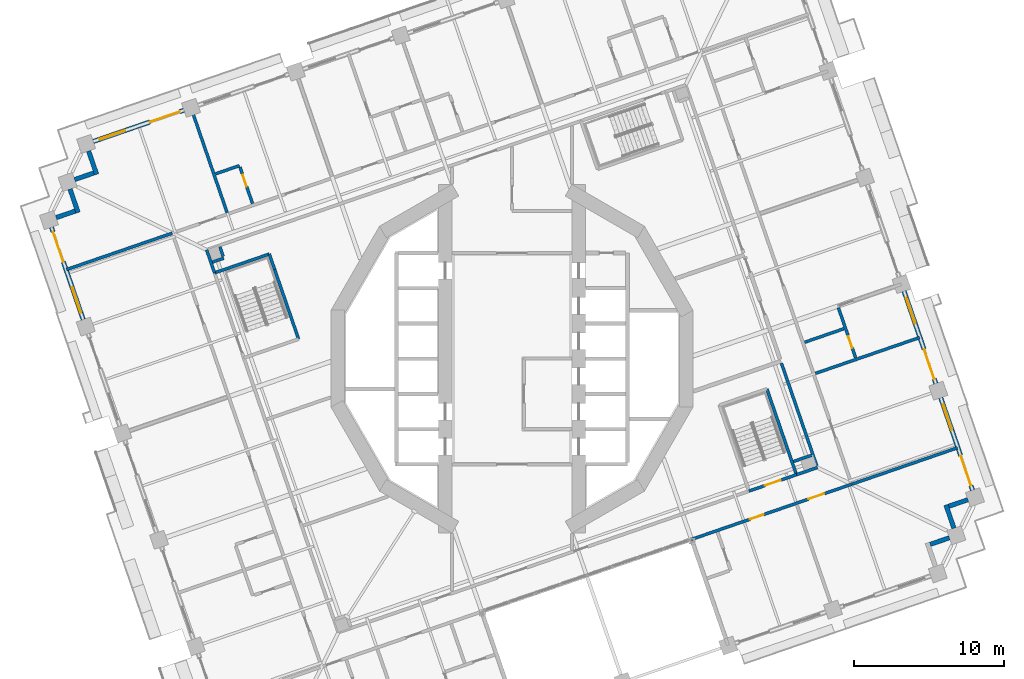
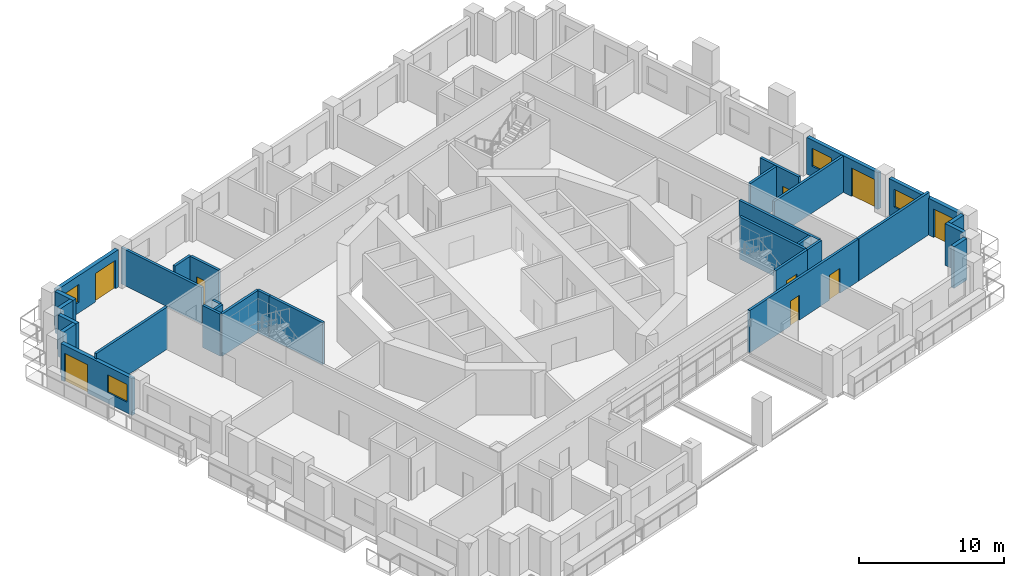
# One storey, part 11 of 22: 31 walls, 9 doors, 4 windows, 13 openings.
"""IFC4 building model written with IfcOpenShell, lengths in metres."""

from ifc_helpers import new_model, si_unit, direction, frame, frame_2d, origin, place, context, subcontext, project, spatial, rectangle, extrude, material, layer, layer_set, type_object, element, fill, save


model = new_model("IFC4")

# Units and contexts
model_context = context("Model", 3, precision=1e-05, world=origin(), true_north=direction((0.0, 1.0)))
body_context = subcontext(model_context, "Body", "Model", "MODEL_VIEW")
ifc_project = project(units=[si_unit("LENGTHUNIT", "METRE"), si_unit("AREAUNIT", "SQUARE_METRE"), si_unit("VOLUMEUNIT", "CUBIC_METRE"), si_unit("PLANEANGLEUNIT", "RADIAN"), si_unit("MASSUNIT", "GRAM", prefix="KILO")], contexts=[model_context])

# Site, building, storey
site_placement = place(None, origin())
site = spatial("IfcSite", under=ifc_project, at=site_placement, CompositionType="ELEMENT")
building_placement = place(site_placement, origin())
building = spatial("IfcBuilding", under=site, at=building_placement, Name="Cantera Rosa Tower", CompositionType="ELEMENT")
storey_placement = place(building_placement, frame((0.0, 0.0, 104.10009765625)))
storey = spatial("IfcBuildingStorey", under=building, at=storey_placement, Name="L20", CompositionType="ELEMENT", Elevation=104.10009765625)

# Wall
ifc_material_1 = material(Name="Gypsum board partition")
ifc_layer_1 = layer(ifc_material_1, 0.199951171875)
ifc_layer_set_1 = layer_set([ifc_layer_1], Name="CORRIDOR WALL 200 H3550")
wall_type_1 = type_object("IfcWallType", Name="CORRIDOR WALL 200 H3550", PredefinedType="PARTITIONING", material=ifc_layer_set_1)
wall_1_placement = place(storey_placement, frame((-20.37451171875, 7.262451171875, 0.0), z_axis=(0.0, 0.0, 1.0), x_axis=(0.325532736599, -0.945530770204, 0.0)))
element("IfcWall", 1, at=wall_1_placement, inside=storey, type_object=wall_type_1, Name="CORRIDOR WALL L20-003", PredefinedType="PARTITIONING", context=body_context, shape_type="SweptSolid", body=[
    extrude(rectangle(XDim=1.626708984375, YDim=0.199951171875, at=frame_2d((0.8134765625, 0.0))), origin(), (0.0, 0.0, 1.0), 3.5498046875),
])

# Wall, openings, doors
wall_2_placement = place(storey_placement, frame((11.85986328125, -12.097900390625, 0.0), z_axis=(0.0, 0.0, 1.0), x_axis=(0.945521627167, 0.325559291927, 0.0)))
wall_2 = element("IfcWall", 2, at=wall_2_placement, inside=storey, type_object=wall_type_1, Name="CORRIDOR WALL L20-022", PredefinedType="PARTITIONING", context=body_context, shape_type="SweptSolid", body=[
    extrude(rectangle(XDim=11.4248046875, YDim=0.199951171875, at=frame_2d((5.71240234375, 0.0))), origin(), (0.0, 0.0, 1.0), 3.5498046875),
])
opening_1_placement = place(wall_2_placement, frame((4.25, 0.0, 0.0)))
opening_1 = element("IfcOpeningElement", 3, at=opening_1_placement, cuts=wall_2, Name="Opening L20-044", PredefinedType="OPENING", context=body_context, shape_type="SweptSolid", body=[
    extrude(rectangle(XDim=0.949951171875, YDim=2.10009765625, at=frame_2d((0.47509765625, 1.050048828125))), frame((0.0, 0.10986328125, 0.0), z_axis=(0.0, -1.0, 0.0), x_axis=(1.0, 0.0, 0.0)), (0.0, 0.0, 1.0), 0.219970703125),
])
opening_2_placement = place(wall_2_placement, frame((8.375, 0.0, 0.0)))
opening_2 = element("IfcOpeningElement", 4, at=opening_2_placement, cuts=wall_2, Name="Opening L20-048", PredefinedType="OPENING", context=body_context, shape_type="SweptSolid", body=[
    extrude(rectangle(XDim=1.10009765625, YDim=2.10009765625, at=frame_2d((0.550048828125, 1.050048828125))), frame((0.0, 0.10986328125, 0.0), z_axis=(0.0, -1.0, 0.0), x_axis=(1.0, 0.0, 0.0)), (0.0, 0.0, 1.0), 0.219970703125),
])
ifc_material_2 = material(Name="Timber door leaf", Category="wood")
door_type_1 = type_object("IfcDoorType", Name="ROOM DOOR 1100x2100", OperationType="NOTDEFINED", PredefinedType="DOOR", material=ifc_material_2)
door_1_placement = place(opening_2_placement, origin())
door_1 = element("IfcDoor", 5, at=door_1_placement, inside=storey, type_object=door_type_1, Name="DOOR L20-048", OperationType="NOTDEFINED", OverallHeight=2.10009765625, OverallWidth=1.10009765625, PredefinedType="DOOR", context=body_context, shape_type="SweptSolid", body=[
    extrude(rectangle(XDim=1.10009765625, YDim=2.10009765625, at=frame_2d((0.550048828125, 1.050048828125))), frame((0.0, 0.02490234375, 0.0), z_axis=(0.0, -1.0, 0.0), x_axis=(1.0, 0.0, 0.0)), (0.0, 0.0, 1.0), 0.050048828125),
])
fill(opening_2, door_1)
ifc_material_3 = material(Name="Timber door leaf", Category="wood")
door_type_2 = type_object("IfcDoorType", Name="ROOM DOOR 950x2100", OperationType="NOTDEFINED", PredefinedType="DOOR", material=ifc_material_3)
door_2_placement = place(opening_1_placement, origin())
door_2 = element("IfcDoor", 6, at=door_2_placement, inside=storey, type_object=door_type_2, Name="DOOR L20-044", OperationType="NOTDEFINED", OverallHeight=2.10009765625, OverallWidth=0.949951171875, PredefinedType="DOOR", context=body_context, shape_type="SweptSolid", body=[
    extrude(rectangle(XDim=0.949951171875, YDim=2.10009765625, at=frame_2d((0.47509765625, 1.050048828125))), frame((0.0, 0.02490234375, 0.0), z_axis=(0.0, -1.0, 0.0), x_axis=(1.0, 0.0, 0.0)), (0.0, 0.0, 1.0), 0.050048828125),
])
fill(opening_1, door_2)

# Walls
wall_3_placement = place(storey_placement, frame((18.978271484375, -7.7431640625, 0.0), z_axis=(0.0, 0.0, 1.0), x_axis=(0.945529243519, 0.32553717092, 0.0)))
element("IfcWall", 7, at=wall_3_placement, inside=storey, type_object=wall_type_1, Name="CORRIDOR WALL L20-104", PredefinedType="PARTITIONING", context=body_context, shape_type="SweptSolid", body=[
    extrude(rectangle(XDim=1.4765625, YDim=0.199951171875, at=frame_2d((0.73828125, 0.0))), origin(), (0.0, 0.0, 1.0), 3.5498046875),
])
wall_4_placement = place(storey_placement, frame((20.33544921875, -7.14892578125, 0.0), z_axis=(0.0, 0.0, 1.0), x_axis=(-0.32558015452, 0.945514443561, 0.0)))
element("IfcWall", 8, at=wall_4_placement, inside=storey, type_object=wall_type_1, Name="CORRIDOR WALL L20-108", PredefinedType="PARTITIONING", context=body_context, shape_type="SweptSolid", body=[
    extrude(rectangle(XDim=7.239990234375, YDim=0.199951171875, at=frame_2d((3.6201171875, 0.0))), origin(), (0.0, 0.0, 1.0), 3.5498046875),
])
ifc_material_4 = material(Name="Hollow clay masonry with cantera stone cladding", Category="masonry")
ifc_layer_2 = layer(ifc_material_4, 0.300048828125)
ifc_layer_set_2 = layer_set([ifc_layer_2], Name="EW-LOGGIA 300")
wall_type_2 = type_object("IfcWallType", Name="EW-LOGGIA 300", PredefinedType="SOLIDWALL", material=ifc_layer_set_2)
wall_5_placement = place(storey_placement, frame((-28.250732421875, 13.857421875, 0.0), z_axis=(0.0, 0.0, 1.0), x_axis=(0.325666906351, -0.945484566827, 0.0)))
element("IfcWall", 9, at=wall_5_placement, inside=storey, type_object=wall_type_2, Name="EN-L20-W14a", PredefinedType="SOLIDWALL", context=body_context, shape_type="SweptSolid", body=[
    extrude(rectangle(XDim=1.64990234375, YDim=0.300048828125, at=frame_2d((0.824951171875, 0.0))), origin(), (0.0, 0.0, 1.0), 3.5),
])
wall_6_placement = place(storey_placement, frame((-27.904052734375, 12.390380859375, 0.0), z_axis=(0.0, 0.0, 1.0), x_axis=(-0.945545797087, -0.325489086777, 0.0)))
element("IfcWall", 10, at=wall_6_placement, inside=storey, type_object=wall_type_2, Name="EN-L20-W14b", PredefinedType="SOLIDWALL", context=body_context, shape_type="SweptSolid", body=[
    extrude(rectangle(XDim=1.35009765625, YDim=0.300048828125, at=frame_2d((0.675048828125, 0.0))), origin(), (0.0, 0.0, 1.0), 3.5),
])
wall_7_placement = place(storey_placement, frame((-29.490478515625, 11.315185546875, 0.0), z_axis=(0.0, 0.0, 1.0), x_axis=(0.32553462645, -0.945530119553, 0.0)))
element("IfcWall", 11, at=wall_7_placement, inside=storey, type_object=wall_type_2, Name="EN-L20-W15a", PredefinedType="SOLIDWALL", context=body_context, shape_type="SweptSolid", body=[
    extrude(rectangle(XDim=1.64990234375, YDim=0.300048828125, at=frame_2d((0.824951171875, 0.0))), origin(), (0.0, 0.0, 1.0), 3.5),
])
wall_8_placement = place(storey_placement, frame((-29.14404296875, 9.84814453125, 0.0), z_axis=(0.0, 0.0, 1.0), x_axis=(-0.945526634763, -0.325544748006, 0.0)))
element("IfcWall", 12, at=wall_8_placement, inside=storey, type_object=wall_type_2, Name="EN-L20-W15b", PredefinedType="SOLIDWALL", context=body_context, shape_type="SweptSolid", body=[
    extrude(rectangle(XDim=1.349853515625, YDim=0.300048828125, at=frame_2d((0.6748046875, 0.0))), origin(), (0.0, 0.0, 1.0), 3.5),
])
wall_9_placement = place(storey_placement, frame((27.904052734375, -12.390380859375, 0.0), z_axis=(0.0, 0.0, 1.0), x_axis=(0.945545797087, 0.325489086777, 0.0)))
element("IfcWall", 13, at=wall_9_placement, inside=storey, type_object=wall_type_2, Name="EN-L20-W29b", PredefinedType="SOLIDWALL", context=body_context, shape_type="SweptSolid", body=[
    extrude(rectangle(XDim=1.35009765625, YDim=0.300048828125, at=frame_2d((0.675048828125, 0.0))), origin(), (0.0, 0.0, 1.0), 3.5),
])
wall_10_placement = place(storey_placement, frame((29.490478515625, -11.315185546875, 0.0), z_axis=(0.0, 0.0, 1.0), x_axis=(-0.32553462645, 0.945530119553, 0.0)))
element("IfcWall", 14, at=wall_10_placement, inside=storey, type_object=wall_type_2, Name="EN-L20-W30a", PredefinedType="SOLIDWALL", context=body_context, shape_type="SweptSolid", body=[
    extrude(rectangle(XDim=1.64990234375, YDim=0.300048828125, at=frame_2d((0.824951171875, 0.0))), origin(), (0.0, 0.0, 1.0), 3.5),
])
wall_11_placement = place(storey_placement, frame((29.14404296875, -9.84814453125, 0.0), z_axis=(0.0, 0.0, 1.0), x_axis=(0.945526634763, 0.325544748006, 0.0)))
element("IfcWall", 15, at=wall_11_placement, inside=storey, type_object=wall_type_2, Name="EN-L20-W30b", PredefinedType="SOLIDWALL", context=body_context, shape_type="SweptSolid", body=[
    extrude(rectangle(XDim=1.349853515625, YDim=0.300048828125, at=frame_2d((0.6748046875, 0.0))), origin(), (0.0, 0.0, 1.0), 3.5),
])

# Wall, openings, window, door
ifc_material_5 = material(Name="Hollow clay masonry with cantera stone cladding", Category="masonry")
ifc_layer_3 = layer(ifc_material_5, 0.300048828125)
ifc_layer_set_3 = layer_set([ifc_layer_3], Name="EW-LOGGIA 300 H3090")
wall_type_3 = type_object("IfcWallType", Name="EW-LOGGIA 300 H3090", PredefinedType="SOLIDWALL", material=ifc_layer_set_3)
wall_12_placement = place(storey_placement, frame((30.73046875, -8.773193359375, 0.0), z_axis=(0.0, 0.0, 1.0), x_axis=(-0.325580990241, 0.945514155787, 0.0)))
wall_12 = element("IfcWall", 16, at=wall_12_placement, inside=storey, type_object=wall_type_3, Name="EN-L20-W01", PredefinedType="SOLIDWALL", context=body_context, shape_type="SweptSolid", body=[
    extrude(rectangle(XDim=6.52001953125, YDim=0.300048828125, at=frame_2d((3.260009765625, 0.0))), origin(), (0.0, 0.0, 1.0), 3.08984375),
])
opening_3_placement = place(wall_12_placement, frame((0.330078125, 0.0, 0.0)))
opening_3 = element("IfcOpeningElement", 17, at=opening_3_placement, cuts=wall_12, Name="Opening L20-TD01", PredefinedType="OPENING", context=body_context, shape_type="SweptSolid", body=[
    extrude(rectangle(XDim=2.10009765625, YDim=2.39990234375, at=frame_2d((1.050048828125, 1.199951171875))), frame((0.0, 0.159912109375, 0.0), z_axis=(0.0, -1.0, 0.0), x_axis=(1.0, 0.0, 0.0)), (0.0, 0.0, 1.0), 0.320068359375),
])
opening_4_placement = place(wall_12_placement, frame((4.239990234375, 0.0, 0.89990234375)))
opening_4 = element("IfcOpeningElement", 18, at=opening_4_placement, cuts=wall_12, Name="Opening L20-W02", PredefinedType="OPENING", context=body_context, shape_type="SweptSolid", body=[
    extrude(rectangle(XDim=1.800048828125, YDim=1.5, at=frame_2d((0.89990234375, 0.75))), frame((0.0, 0.159912109375, 0.0), z_axis=(0.0, -1.0, 0.0), x_axis=(1.0, 0.0, 0.0)), (0.0, 0.0, 1.0), 0.320068359375),
])
ifc_material_6 = material(Name="Aluminium frame with clear glass", Category="aluminium")
window_type = type_object("IfcWindowType", Name="Hotel room window 1800x1500", PartitioningType="DOUBLE_PANEL_VERTICAL", PredefinedType="WINDOW", material=ifc_material_6)
window_1_placement = place(opening_4_placement, origin())
window_1 = element("IfcWindow", 19, at=window_1_placement, inside=storey, type_object=window_type, Name="WINDOW L20-W02", OverallHeight=1.5, OverallWidth=1.800048828125, PartitioningType="SINGLE_PANEL", PredefinedType="WINDOW", context=body_context, shape_type="SweptSolid", body=[
    extrude(rectangle(XDim=1.800048828125, YDim=1.5, at=frame_2d((0.89990234375, 0.75))), frame((0.0, 0.030029296875, 0.0), z_axis=(0.0, -1.0, 0.0), x_axis=(1.0, 0.0, 0.0)), (0.0, 0.0, 1.0), 0.06005859375),
])
fill(opening_4, window_1)
ifc_material_7 = material(Name="Aluminium frame with clear glass", Category="aluminium")
door_type_3 = type_object("IfcDoorType", Name="TD-H 2100x2400", OperationType="NOTDEFINED", PredefinedType="DOOR", material=ifc_material_7)
door_3_placement = place(opening_3_placement, origin())
door_3 = element("IfcDoor", 20, at=door_3_placement, inside=storey, type_object=door_type_3, Name="LOGGIA DOOR L20-TD01", OperationType="SLIDING_TO_LEFT", OverallHeight=2.39990234375, OverallWidth=2.10009765625, PredefinedType="DOOR", context=body_context, shape_type="SweptSolid", body=[
    extrude(rectangle(XDim=2.10009765625, YDim=2.39990234375, at=frame_2d((1.050048828125, 1.199951171875))), frame((0.0, 0.02490234375, 0.0), z_axis=(0.0, -1.0, 0.0), x_axis=(1.0, 0.0, 0.0)), (0.0, 0.0, 1.0), 0.050048828125),
])
fill(opening_3, door_3)

wall_13_placement = place(storey_placement, frame((28.2822265625, -1.662841796875, 0.0), z_axis=(0.0, 0.0, 1.0), x_axis=(-0.325580990241, 0.945514155787, 0.0)))
wall_13 = element("IfcWall", 21, at=wall_13_placement, inside=storey, type_object=wall_type_3, Name="EN-L20-W02", PredefinedType="SOLIDWALL", context=body_context, shape_type="SweptSolid", body=[
    extrude(rectangle(XDim=6.52001953125, YDim=0.300048828125, at=frame_2d((3.260009765625, 0.0))), origin(), (0.0, 0.0, 1.0), 3.08984375),
])
opening_5_placement = place(wall_13_placement, frame((0.330078125, 0.0, 0.0)))
opening_5 = element("IfcOpeningElement", 22, at=opening_5_placement, cuts=wall_13, Name="Opening L20-TD03", PredefinedType="OPENING", context=body_context, shape_type="SweptSolid", body=[
    extrude(rectangle(XDim=2.10009765625, YDim=2.39990234375, at=frame_2d((1.050048828125, 1.199951171875))), frame((0.0, 0.159912109375, 0.0), z_axis=(0.0, -1.0, 0.0), x_axis=(1.0, 0.0, 0.0)), (0.0, 0.0, 1.0), 0.320068359375),
])
opening_6_placement = place(wall_13_placement, frame((4.239990234375, 0.0, 0.89990234375)))
opening_6 = element("IfcOpeningElement", 23, at=opening_6_placement, cuts=wall_13, Name="Opening L20-W04", PredefinedType="OPENING", context=body_context, shape_type="SweptSolid", body=[
    extrude(rectangle(XDim=1.800048828125, YDim=1.5, at=frame_2d((0.89990234375, 0.75))), frame((0.0, 0.159912109375, 0.0), z_axis=(0.0, -1.0, 0.0), x_axis=(1.0, 0.0, 0.0)), (0.0, 0.0, 1.0), 0.320068359375),
])
window_2_placement = place(opening_6_placement, origin())
window_2 = element("IfcWindow", 24, at=window_2_placement, inside=storey, type_object=window_type, Name="WINDOW L20-W04", OverallHeight=1.5, OverallWidth=1.800048828125, PartitioningType="SINGLE_PANEL", PredefinedType="WINDOW", context=body_context, shape_type="SweptSolid", body=[
    extrude(rectangle(XDim=1.800048828125, YDim=1.5, at=frame_2d((0.89990234375, 0.75))), frame((0.0, 0.030029296875, 0.0), z_axis=(0.0, -1.0, 0.0), x_axis=(1.0, 0.0, 0.0)), (0.0, 0.0, 1.0), 0.06005859375),
])
fill(opening_6, window_2)
door_4_placement = place(opening_5_placement, origin())
door_4 = element("IfcDoor", 25, at=door_4_placement, inside=storey, type_object=door_type_3, Name="LOGGIA DOOR L20-TD03", OperationType="SLIDING_TO_LEFT", OverallHeight=2.39990234375, OverallWidth=2.10009765625, PredefinedType="DOOR", context=body_context, shape_type="SweptSolid", body=[
    extrude(rectangle(XDim=2.10009765625, YDim=2.39990234375, at=frame_2d((1.050048828125, 1.199951171875))), frame((0.0, 0.02490234375, 0.0), z_axis=(0.0, -1.0, 0.0), x_axis=(1.0, 0.0, 0.0)), (0.0, 0.0, 1.0), 0.050048828125),
])
fill(opening_5, door_4)

wall_14_placement = place(storey_placement, frame((-30.73046875, 8.773193359375, 0.0), z_axis=(0.0, 0.0, 1.0), x_axis=(0.325580990241, -0.945514155787, 0.0)))
wall_14 = element("IfcWall", 26, at=wall_14_placement, inside=storey, type_object=wall_type_3, Name="EN-L20-W16", PredefinedType="SOLIDWALL", context=body_context, shape_type="SweptSolid", body=[
    extrude(rectangle(XDim=6.52001953125, YDim=0.300048828125, at=frame_2d((3.260009765625, 0.0))), origin(), (0.0, 0.0, 1.0), 3.08984375),
])
opening_7_placement = place(wall_14_placement, frame((0.330078125, 0.0, 0.0)))
opening_7 = element("IfcOpeningElement", 27, at=opening_7_placement, cuts=wall_14, Name="Opening L20-TD23", PredefinedType="OPENING", context=body_context, shape_type="SweptSolid", body=[
    extrude(rectangle(XDim=2.10009765625, YDim=2.39990234375, at=frame_2d((1.050048828125, 1.199951171875))), frame((0.0, 0.159912109375, 0.0), z_axis=(0.0, -1.0, 0.0), x_axis=(1.0, 0.0, 0.0)), (0.0, 0.0, 1.0), 0.320068359375),
])
opening_8_placement = place(wall_14_placement, frame((4.239990234375, 0.0, 0.89990234375)))
opening_8 = element("IfcOpeningElement", 28, at=opening_8_placement, cuts=wall_14, Name="Opening L20-W24", PredefinedType="OPENING", context=body_context, shape_type="SweptSolid", body=[
    extrude(rectangle(XDim=1.800048828125, YDim=1.5, at=frame_2d((0.89990234375, 0.75))), frame((0.0, 0.159912109375, 0.0), z_axis=(0.0, -1.0, 0.0), x_axis=(1.0, 0.0, 0.0)), (0.0, 0.0, 1.0), 0.320068359375),
])
window_3_placement = place(opening_8_placement, origin())
window_3 = element("IfcWindow", 29, at=window_3_placement, inside=storey, type_object=window_type, Name="WINDOW L20-W24", OverallHeight=1.5, OverallWidth=1.800048828125, PartitioningType="SINGLE_PANEL", PredefinedType="WINDOW", context=body_context, shape_type="SweptSolid", body=[
    extrude(rectangle(XDim=1.800048828125, YDim=1.5, at=frame_2d((0.89990234375, 0.75))), frame((0.0, 0.030029296875, 0.0), z_axis=(0.0, -1.0, 0.0), x_axis=(1.0, 0.0, 0.0)), (0.0, 0.0, 1.0), 0.06005859375),
])
fill(opening_8, window_3)
door_5_placement = place(opening_7_placement, origin())
door_5 = element("IfcDoor", 30, at=door_5_placement, inside=storey, type_object=door_type_3, Name="LOGGIA DOOR L20-TD23", OperationType="SLIDING_TO_LEFT", OverallHeight=2.39990234375, OverallWidth=2.10009765625, PredefinedType="DOOR", context=body_context, shape_type="SweptSolid", body=[
    extrude(rectangle(XDim=2.10009765625, YDim=2.39990234375, at=frame_2d((1.050048828125, 1.199951171875))), frame((0.0, 0.02490234375, 0.0), z_axis=(0.0, -1.0, 0.0), x_axis=(1.0, 0.0, 0.0)), (0.0, 0.0, 1.0), 0.050048828125),
])
fill(opening_7, door_5)

ifc_material_8 = material(Name="Hollow clay masonry with cantera stone cladding", Category="masonry")
ifc_layer_4 = layer(ifc_material_8, 0.300048828125)
ifc_layer_set_4 = layer_set([ifc_layer_4], Name="EW-LOGGIA 300 H3140")
wall_type_4 = type_object("IfcWallType", Name="EW-LOGGIA 300 H3140", PredefinedType="SOLIDWALL", material=ifc_layer_set_4)
wall_15_placement = place(storey_placement, frame((-21.889404296875, 16.57666015625, 0.0), z_axis=(0.0, 0.0, 1.0), x_axis=(-0.945512753621, -0.325585062219, 0.0)))
wall_15 = element("IfcWall", 31, at=wall_15_placement, inside=storey, type_object=wall_type_4, Name="EN-L20-W13", PredefinedType="SOLIDWALL", context=body_context, shape_type="SweptSolid", body=[
    extrude(rectangle(XDim=6.39990234375, YDim=0.300048828125, at=frame_2d((3.199951171875, 0.0))), origin(), (0.0, 0.0, 1.0), 3.139892578125),
])
opening_9_placement = place(wall_15_placement, frame((0.300048828125, 0.0, 0.0)))
opening_9 = element("IfcOpeningElement", 32, at=opening_9_placement, cuts=wall_15, Name="Opening L20-TD21", PredefinedType="OPENING", context=body_context, shape_type="SweptSolid", body=[
    extrude(rectangle(XDim=2.10009765625, YDim=2.39990234375, at=frame_2d((1.050048828125, 1.199951171875))), frame((0.0, 0.159912109375, 0.0), z_axis=(0.0, -1.0, 0.0), x_axis=(1.0, 0.0, 0.0)), (0.0, 0.0, 1.0), 0.320068359375),
])
opening_10_placement = place(wall_15_placement, frame((4.14990234375, 0.0, 0.89990234375)))
opening_10 = element("IfcOpeningElement", 33, at=opening_10_placement, cuts=wall_15, Name="Opening L20-W22", PredefinedType="OPENING", context=body_context, shape_type="SweptSolid", body=[
    extrude(rectangle(XDim=1.800048828125, YDim=1.5, at=frame_2d((0.89990234375, 0.75))), frame((0.0, 0.159912109375, 0.0), z_axis=(0.0, -1.0, 0.0), x_axis=(1.0, 0.0, 0.0)), (0.0, 0.0, 1.0), 0.320068359375),
])
window_4_placement = place(opening_10_placement, origin())
window_4 = element("IfcWindow", 34, at=window_4_placement, inside=storey, type_object=window_type, Name="WINDOW L20-W22", OverallHeight=1.5, OverallWidth=1.800048828125, PartitioningType="SINGLE_PANEL", PredefinedType="WINDOW", context=body_context, shape_type="SweptSolid", body=[
    extrude(rectangle(XDim=1.800048828125, YDim=1.5, at=frame_2d((0.89990234375, 0.75))), frame((0.0, 0.030029296875, 0.0), z_axis=(0.0, -1.0, 0.0), x_axis=(1.0, 0.0, 0.0)), (0.0, 0.0, 1.0), 0.06005859375),
])
fill(opening_10, window_4)
door_6_placement = place(opening_9_placement, origin())
door_6 = element("IfcDoor", 35, at=door_6_placement, inside=storey, type_object=door_type_3, Name="LOGGIA DOOR L20-TD21", OperationType="SLIDING_TO_LEFT", OverallHeight=2.39990234375, OverallWidth=2.10009765625, PredefinedType="DOOR", context=body_context, shape_type="SweptSolid", body=[
    extrude(rectangle(XDim=2.10009765625, YDim=2.39990234375, at=frame_2d((1.050048828125, 1.199951171875))), frame((0.0, 0.02490234375, 0.0), z_axis=(0.0, -1.0, 0.0), x_axis=(1.0, 0.0, 0.0)), (0.0, 0.0, 1.0), 0.050048828125),
])
fill(opening_9, door_6)

# Walls
ifc_material_9 = material(Name="Gypsum board partition")
ifc_layer_5 = layer(ifc_material_9, 0.199951171875)
ifc_layer_set_5 = layer_set([ifc_layer_5], Name="PARTITION 200 H3550")
wall_type_5 = type_object("IfcWallType", Name="PARTITION 200 H3550", PredefinedType="PARTITIONING", material=ifc_layer_set_5)
wall_16_placement = place(storey_placement, frame((-22.662353515625, 8.37841796875, 0.0), z_axis=(0.0, 0.0, 1.0), x_axis=(-0.945512517373, -0.325585748291, 0.0)))
element("IfcWall", 36, at=wall_16_placement, inside=storey, type_object=wall_type_5, Name="PARTITION L20-001", PredefinedType="PARTITIONING", context=body_context, shape_type="SweptSolid", body=[
    extrude(rectangle(XDim=7.469970703125, YDim=0.199951171875, at=frame_2d((3.73486328125, 0.0))), origin(), (0.0, 0.0, 1.0), 3.5498046875),
])
wall_17_placement = place(storey_placement, frame((-19.98681640625, 6.444091796875, 0.0), z_axis=(0.0, 0.0, 1.0), x_axis=(0.945586856903, 0.325369783557, 0.0)))
element("IfcWall", 37, at=wall_17_placement, inside=storey, type_object=wall_type_5, Name="PARTITION L20-004", PredefinedType="PARTITIONING", context=body_context, shape_type="SweptSolid", body=[
    extrude(rectangle(XDim=0.7998046875, YDim=0.199951171875, at=frame_2d((0.39990234375, 0.0))), origin(), (0.0, 0.0, 1.0), 3.5498046875),
])
wall_18_placement = place(storey_placement, frame((-19.77294921875, 12.33447265625, 0.0), z_axis=(0.0, 0.0, 1.0), x_axis=(0.945482578037, 0.3256726802, 0.0)))
element("IfcWall", 38, at=wall_18_placement, inside=storey, type_object=wall_type_5, Name="PARTITION L20-005", PredefinedType="PARTITIONING", context=body_context, shape_type="SweptSolid", body=[
    extrude(rectangle(XDim=1.679931640625, YDim=0.199951171875, at=frame_2d((0.83984375, 0.0))), origin(), (0.0, 0.0, 1.0), 3.5498046875),
])
wall_19_placement = place(storey_placement, frame((-19.26953125, 6.81787109375, 0.0), z_axis=(0.0, 0.0, 1.0), x_axis=(-0.325581333382, 0.945514037629, 0.0)))
element("IfcWall", 39, at=wall_19_placement, inside=storey, type_object=wall_type_5, Name="PARTITION L20-008", PredefinedType="PARTITIONING", context=body_context, shape_type="SweptSolid", body=[
    extrude(rectangle(XDim=0.68017578125, YDim=0.199951171875, at=frame_2d((0.340087890625, 0.0))), origin(), (0.0, 0.0, 1.0), 3.5498046875),
])

# Wall, opening, door
wall_20_placement = place(storey_placement, frame((-18.152099609375, 12.786865234375, 0.0), z_axis=(0.0, 0.0, 1.0), x_axis=(0.325608632474, -0.945504636931, 0.0)))
wall_20 = element("IfcWall", 40, at=wall_20_placement, inside=storey, type_object=wall_type_5, Name="PARTITION L20-012", PredefinedType="PARTITIONING", context=body_context, shape_type="SweptSolid", body=[
    extrude(rectangle(XDim=2.580078125, YDim=0.199951171875, at=frame_2d((1.2900390625, 0.0))), origin(), (0.0, 0.0, 1.0), 3.5498046875),
])
opening_11_placement = place(wall_20_placement, frame((0.56396484375, 0.0, 0.0)))
opening_11 = element("IfcOpeningElement", 41, at=opening_11_placement, cuts=wall_20, Name="Opening L20-032", PredefinedType="OPENING", context=body_context, shape_type="SweptSolid", body=[
    extrude(rectangle(XDim=0.800048828125, YDim=2.10009765625, at=frame_2d((0.39990234375, 1.050048828125))), frame((0.0, 0.10986328125, 0.0), z_axis=(0.0, -1.0, 0.0), x_axis=(1.0, 0.0, 0.0)), (0.0, 0.0, 1.0), 0.219970703125),
])
ifc_material_10 = material(Name="Timber door leaf", Category="wood")
door_type_4 = type_object("IfcDoorType", Name="BATHROOM DOOR 800x2100", OperationType="NOTDEFINED", PredefinedType="DOOR", material=ifc_material_10)
door_7_placement = place(opening_11_placement, origin())
door_7 = element("IfcDoor", 42, at=door_7_placement, inside=storey, type_object=door_type_4, Name="DOOR L20-032", OperationType="NOTDEFINED", OverallHeight=2.10009765625, OverallWidth=0.800048828125, PredefinedType="DOOR", context=body_context, shape_type="SweptSolid", body=[
    extrude(rectangle(XDim=0.800048828125, YDim=2.10009765625, at=frame_2d((0.39990234375, 1.050048828125))), frame((0.0, 0.02490234375, 0.0), z_axis=(0.0, -1.0, 0.0), x_axis=(1.0, 0.0, 0.0)), (0.0, 0.0, 1.0), 0.050048828125),
])
fill(opening_11, door_7)

# Walls
wall_21_placement = place(storey_placement, frame((19.526611328125, 1.096923828125, 0.0), z_axis=(0.0, 0.0, 1.0), x_axis=(0.945505446379, 0.325606281984, 0.0)))
element("IfcWall", 43, at=wall_21_placement, inside=storey, type_object=wall_type_5, Name="PARTITION L20-105", PredefinedType="PARTITIONING", context=body_context, shape_type="SweptSolid", body=[
    extrude(rectangle(XDim=2.760009765625, YDim=0.199951171875, at=frame_2d((1.3798828125, 0.0))), origin(), (0.0, 0.0, 1.0), 3.5498046875),
])
wall_22_placement = place(storey_placement, frame((19.98681640625, -6.444091796875, 0.0), z_axis=(0.0, 0.0, 1.0), x_axis=(-0.94553951581, -0.325507333315, 0.0)))
element("IfcWall", 44, at=wall_22_placement, inside=storey, type_object=wall_type_5, Name="PARTITION L20-106", PredefinedType="PARTITIONING", context=body_context, shape_type="SweptSolid", body=[
    extrude(rectangle(XDim=1.276611328125, YDim=0.199951171875, at=frame_2d((0.63818359375, 0.0))), origin(), (0.0, 0.0, 1.0), 3.5498046875),
])

# Wall, opening, door
wall_23_placement = place(storey_placement, frame((22.927001953125, 0.068115234375, 0.0), z_axis=(0.0, 0.0, 1.0), x_axis=(-0.325575965973, 0.945515885843, 0.0)))
wall_23 = element("IfcWall", 45, at=wall_23_placement, inside=storey, type_object=wall_type_5, Name="PARTITION L20-112", PredefinedType="PARTITIONING", context=body_context, shape_type="SweptSolid", body=[
    extrude(rectangle(XDim=3.52001953125, YDim=0.199951171875, at=frame_2d((1.760009765625, 0.0))), origin(), (0.0, 0.0, 1.0), 3.5498046875),
])
opening_12_placement = place(wall_23_placement, frame((0.68994140625, 0.0, 0.0)))
opening_12 = element("IfcOpeningElement", 46, at=opening_12_placement, cuts=wall_23, Name="Opening L20-020", PredefinedType="OPENING", context=body_context, shape_type="SweptSolid", body=[
    extrude(rectangle(XDim=0.800048828125, YDim=2.10009765625, at=frame_2d((0.39990234375, 1.050048828125))), frame((0.0, 0.10986328125, 0.0), z_axis=(0.0, -1.0, 0.0), x_axis=(1.0, 0.0, 0.0)), (0.0, 0.0, 1.0), 0.219970703125),
])
door_8_placement = place(opening_12_placement, origin())
door_8 = element("IfcDoor", 47, at=door_8_placement, inside=storey, type_object=door_type_4, Name="DOOR L20-020", OperationType="NOTDEFINED", OverallHeight=2.10009765625, OverallWidth=0.800048828125, PredefinedType="DOOR", context=body_context, shape_type="SweptSolid", body=[
    extrude(rectangle(XDim=0.800048828125, YDim=2.10009765625, at=frame_2d((0.39990234375, 1.050048828125))), frame((0.0, 0.02490234375, 0.0), z_axis=(0.0, -1.0, 0.0), x_axis=(1.0, 0.0, 0.0)), (0.0, 0.0, 1.0), 0.050048828125),
])
fill(opening_12, door_8)

# Walls
wall_24_placement = place(storey_placement, frame((29.725341796875, -5.9462890625, 0.0), z_axis=(0.0, 0.0, 1.0), x_axis=(-0.945513938048, -0.325581622574, 0.0)))
element("IfcWall", 48, at=wall_24_placement, inside=storey, type_object=wall_type_5, Name="PARTITION L20-113", PredefinedType="PARTITIONING", context=body_context, shape_type="SweptSolid", body=[
    extrude(rectangle(XDim=7.449951171875, YDim=0.199951171875, at=frame_2d((3.72509765625, 0.0))), origin(), (0.0, 0.0, 1.0), 3.5498046875),
])
ifc_material_11 = material(Name="Gypsum board partition")
ifc_layer_6 = layer(ifc_material_11, 0.199951171875)
ifc_layer_set_6 = layer_set([ifc_layer_6], Name="PARTY WALL 200 H3050")
wall_type_6 = type_object("IfcWallType", Name="PARTY WALL 200 H3050", PredefinedType="PARTITIONING", material=ifc_layer_set_6)
wall_25_placement = place(storey_placement, frame((-19.00732421875, 9.74267578125, 0.0), z_axis=(0.0, 0.0, 1.0), x_axis=(-0.325603730276, 0.945506325114, 0.0)))
element("IfcWall", 49, at=wall_25_placement, inside=storey, type_object=wall_type_6, Name="PARTY WALL L20-009", PredefinedType="PARTITIONING", context=body_context, shape_type="SweptSolid", body=[
    extrude(rectangle(XDim=7.369873046875, YDim=0.199951171875, at=frame_2d((3.68505859375, 0.0))), origin(), (0.0, 0.0, 1.0), 3.0498046875),
])
wall_26_placement = place(storey_placement, frame((20.242919921875, -0.983154296875, 0.0), z_axis=(0.0, 0.0, 1.0), x_axis=(0.945511269654, 0.32558937169, 0.0)))
element("IfcWall", 50, at=wall_26_placement, inside=storey, type_object=wall_type_6, Name="PARTY WALL L20-107", PredefinedType="PARTITIONING", context=body_context, shape_type="SweptSolid", body=[
    extrude(rectangle(XDim=7.349853515625, YDim=0.199951171875, at=frame_2d((3.6748046875, 0.0))), origin(), (0.0, 0.0, 1.0), 3.0498046875),
])
ifc_material_12 = material(Name="Concrete C50/60", Category="concrete")
ifc_layer_7 = layer(ifc_material_12, 0.199951171875)
ifc_layer_set_7 = layer_set([ifc_layer_7], Name="STAIR WALL 200 H3550")
wall_type_7 = type_object("IfcWallType", Name="STAIR WALL 200 H3550", PredefinedType="SOLIDWALL", material=ifc_layer_set_7)
wall_27_placement = place(storey_placement, frame((-16.193115234375, 6.98193359375, 0.0), z_axis=(0.0, 0.0, 1.0), x_axis=(-0.945507920529, -0.325599097382, 0.0)))
element("IfcWall", 51, at=wall_27_placement, inside=storey, type_object=wall_type_7, Name="STAIR WALL L20-016", PredefinedType="SOLIDWALL", context=body_context, shape_type="SweptSolid", body=[
    extrude(rectangle(XDim=3.8623046875, YDim=0.199951171875, at=frame_2d((1.93115234375, 0.0))), origin(), (0.0, 0.0, 1.0), 3.5498046875),
])
wall_28_placement = place(storey_placement, frame((-14.239501953125, 1.308837890625, 0.0), z_axis=(0.0, 0.0, 1.0), x_axis=(-0.325599106316, 0.945507917453, 0.0)))
element("IfcWall", 52, at=wall_28_placement, inside=storey, type_object=wall_type_7, Name="STAIR WALL L20-019", PredefinedType="SOLIDWALL", context=body_context, shape_type="SweptSolid", body=[
    extrude(rectangle(XDim=4.900146484375, YDim=0.199951171875, at=frame_2d((2.4501953125, 0.0))), origin(), (0.0, 0.0, 1.0), 3.5498046875),
])

# Wall, opening, door
wall_29_placement = place(storey_placement, frame((15.810791015625, -8.833740234375, 0.0), z_axis=(0.0, 0.0, 1.0), x_axis=(0.945525450469, 0.325548187702, 0.0)))
wall_29 = element("IfcWall", 53, at=wall_29_placement, inside=storey, type_object=wall_type_7, Name="STAIR WALL L20-096", PredefinedType="SOLIDWALL", context=body_context, shape_type="SweptSolid", body=[
    extrude(rectangle(XDim=3.349853515625, YDim=0.199951171875, at=frame_2d((1.6748046875, 0.0))), origin(), (0.0, 0.0, 1.0), 3.5498046875),
])
opening_13_placement = place(wall_29_placement, frame((1.125, 0.0, 0.0)))
opening_13 = element("IfcOpeningElement", 54, at=opening_13_placement, cuts=wall_29, Name="Opening L20-003", PredefinedType="OPENING", context=body_context, shape_type="SweptSolid", body=[
    extrude(rectangle(XDim=1.10009765625, YDim=2.10009765625, at=frame_2d((0.550048828125, 1.050048828125))), frame((0.0, 0.10986328125, 0.0), z_axis=(0.0, -1.0, 0.0), x_axis=(1.0, 0.0, 0.0)), (0.0, 0.0, 1.0), 0.219970703125),
])
ifc_material_13 = material(Name="Steel S355J2 (EN 10025-2)", Category="steel")
door_type_5 = type_object("IfcDoorType", Name="STAIR DOOR 1100x2100", OperationType="NOTDEFINED", PredefinedType="DOOR", material=ifc_material_13)
door_9_placement = place(opening_13_placement, origin())
door_9 = element("IfcDoor", 55, at=door_9_placement, inside=storey, type_object=door_type_5, Name="DOOR L20-003", OperationType="NOTDEFINED", OverallHeight=2.10009765625, OverallWidth=1.10009765625, PredefinedType="DOOR", context=body_context, shape_type="SweptSolid", body=[
    extrude(rectangle(XDim=1.10009765625, YDim=2.10009765625, at=frame_2d((0.550048828125, 1.050048828125))), frame((0.0, 0.02490234375, 0.0), z_axis=(0.0, -1.0, 0.0), x_axis=(1.0, 0.0, 0.0)), (0.0, 0.0, 1.0), 0.050048828125),
])
fill(opening_13, door_9)

# Walls
wall_30_placement = place(storey_placement, frame((17.007080078125, -2.01806640625, 0.0), z_axis=(0.0, 0.0, 1.0), x_axis=(0.325550760545, -0.945524564625, 0.0)))
element("IfcWall", 56, at=wall_30_placement, inside=storey, type_object=wall_type_7, Name="STAIR WALL L20-101", PredefinedType="SOLIDWALL", context=body_context, shape_type="SweptSolid", body=[
    extrude(rectangle(XDim=6.054931640625, YDim=0.199951171875, at=frame_2d((3.02734375, 0.0))), origin(), (0.0, 0.0, 1.0), 3.5498046875),
])
wall_31_placement = place(storey_placement, frame((-15.8349609375, 5.94189453125, 0.0), z_axis=(0.0, 0.0, 1.0), x_axis=(-0.325600768791, 0.945507344955, 0.0)))
element("IfcWall", 57, at=wall_31_placement, inside=storey, type_object=wall_type_7, Name="STAIR WALL L20-019 J", PredefinedType="SOLIDWALL", context=body_context, shape_type="SweptSolid", body=[
    extrude(rectangle(XDim=1.10009765625, YDim=0.199951171875, at=frame_2d((0.550048828125, 0.0))), origin(), (0.0, 0.0, 1.0), 3.5498046875),
])

save(model, "model.ifc")
